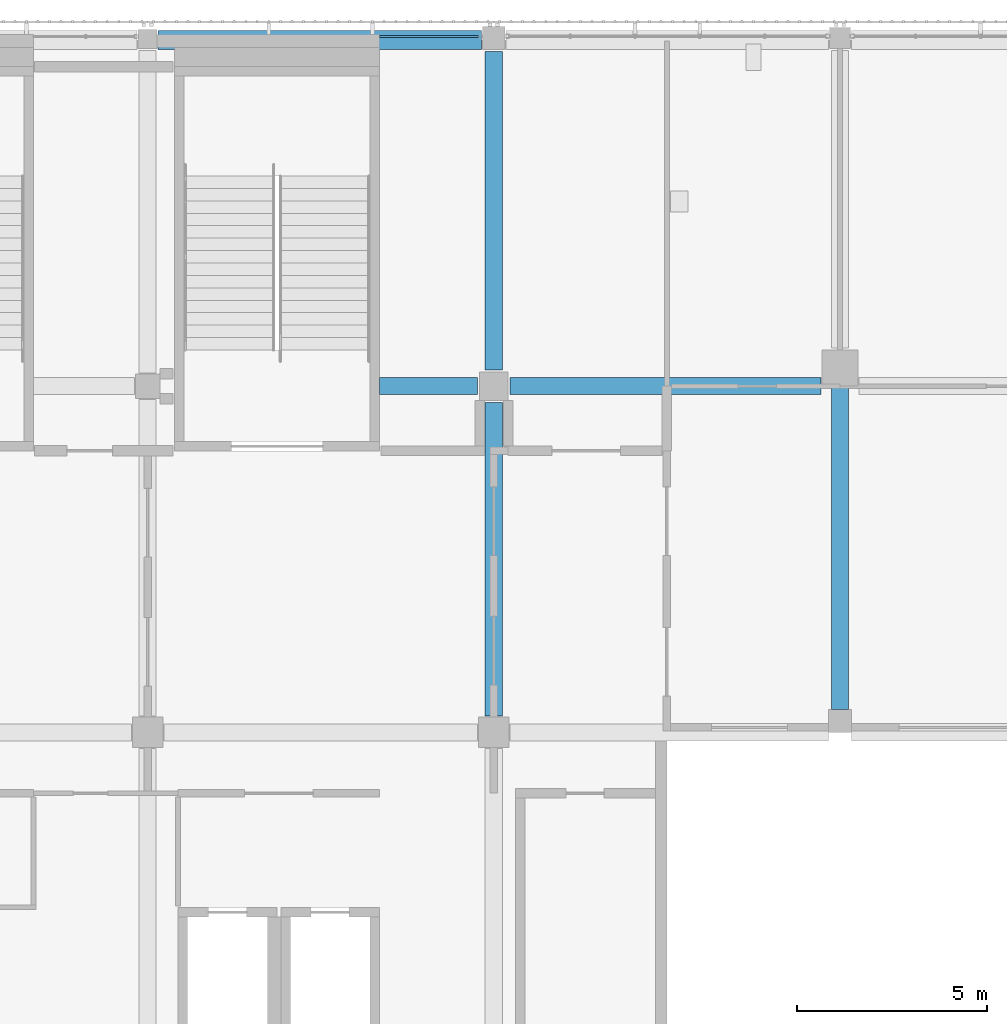
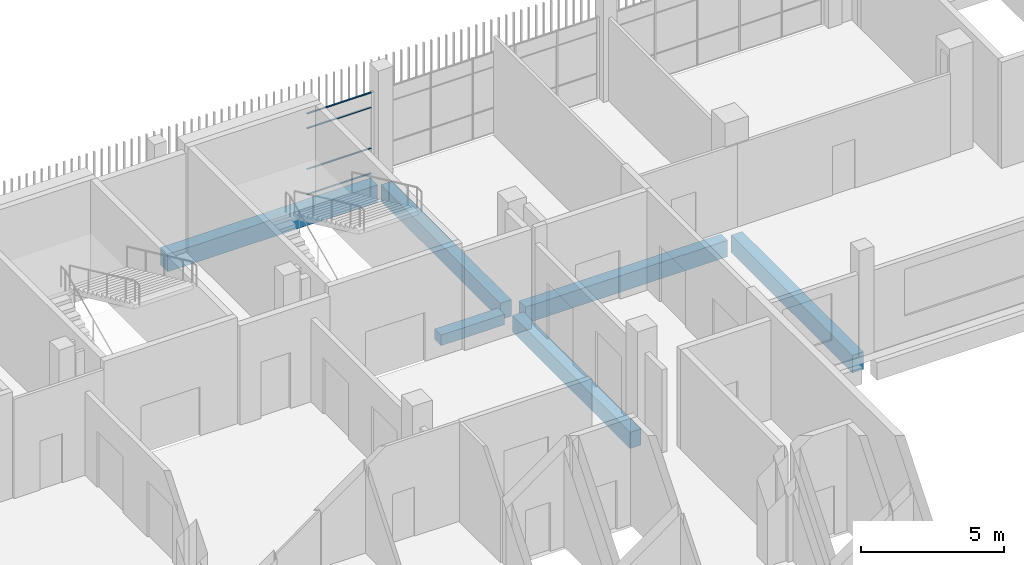
# One storey, part 23 of 104: 6 beams, 4 members, 1 element without a shape of its own.
"""IFC4 building model written with IfcOpenShell, lengths in metres."""

from ifc_helpers import new_model, si_unit, direction, frame, origin, origin_2d, place, context, subcontext, project, spatial, rectangle, hollow_rectangle, extrude, material, layer, layer_set, material_profile, profile_set, type_object, element, aggregate, save


model = new_model("IFC4")

# Units and contexts
model_context = context("Model", 3, precision=1e-05, world=origin(), true_north=direction((0.0, 1.0)))
body_context = subcontext(model_context, "Body", "Model", "MODEL_VIEW")
ifc_project = project(units=[si_unit("LENGTHUNIT", "METRE"), si_unit("AREAUNIT", "SQUARE_METRE"), si_unit("VOLUMEUNIT", "CUBIC_METRE"), si_unit("PLANEANGLEUNIT", "RADIAN"), si_unit("MASSUNIT", "GRAM", prefix="KILO")], contexts=[model_context])

# Site, building, storey
site_placement = place(None, origin())
site = spatial("IfcSite", under=ifc_project, at=site_placement, CompositionType="ELEMENT")
building_placement = place(site_placement, origin())
building = spatial("IfcBuilding", under=site, at=building_placement, Name="Shirokan Park Arena", CompositionType="ELEMENT")
storey_placement = place(building_placement, frame((0.0, 0.0, 10.919921875)))
storey = spatial("IfcBuildingStorey", under=building, at=storey_placement, Name="L02", CompositionType="ELEMENT", Elevation=10.919921875)

# Beams
ifc_material_1 = material(Name="Concrete C35", Category="concrete")
ifc_material_profile_1 = material_profile(ifc_material_1, rectangle(XDim=0.449951171875, YDim=0.699951171875, at=origin_2d()), Name="450x700")
ifc_profile_set_1 = profile_set([ifc_material_profile_1], Name="Concrete C35")
beam_type_1 = type_object("IfcBeamType", Name="RC girder 450x700", PredefinedType="BEAM", material=ifc_profile_set_1)
beam_1_placement = place(storey_placement, frame((36.8251953125, 100.10009765625, -0.64990234375), z_axis=(1.0, 0.0, 0.0), x_axis=(0.0, 1.0, 0.0)))
element("IfcBeam", 1, at=beam_1_placement, inside=storey, type_object=beam_type_1, Name="Girder 5M-6M L02", PredefinedType="BEAM", context=body_context, shape_type="SweptSolid", body=[
    extrude(rectangle(XDim=0.449951171875, YDim=0.699951171875, at=origin_2d()), origin(), (0.0, 0.0, 1.0), 8.1748046875),
])
beam_2_placement = place(storey_placement, frame((36.39990234375, 91.425048828125, -0.64990234375), z_axis=(0.0, 1.0, 0.0), x_axis=(-1.0, 0.0, 0.0)))
element("IfcBeam", 2, at=beam_2_placement, inside=storey, type_object=beam_type_1, Name="Girder 5L-5M L02", PredefinedType="BEAM", context=body_context, shape_type="SweptSolid", body=[
    extrude(rectangle(XDim=0.449951171875, YDim=0.699951171875, at=origin_2d()), origin(), (0.0, 0.0, 1.0), 8.249755859375),
])
beam_3_placement = place(storey_placement, frame((36.39990234375, 100.525146484375, -0.64990234375), z_axis=(0.0, 1.0, 0.0), x_axis=(-1.0, 0.0, 0.0)))
element("IfcBeam", 3, at=beam_3_placement, inside=storey, type_object=beam_type_1, Name="Girder 5M-5N L02", PredefinedType="BEAM", context=body_context, shape_type="SweptSolid", body=[
    extrude(rectangle(XDim=0.449951171875, YDim=0.699951171875, at=origin_2d()), origin(), (0.0, 0.0, 1.0), 8.374755859375),
])
ifc_material_profile_2 = material_profile(ifc_material_1, rectangle(XDim=0.449951171875, YDim=0.75, at=origin_2d()), Name="450x750")
ifc_profile_set_2 = profile_set([ifc_material_profile_2], Name="Concrete C35")
beam_type_2 = type_object("IfcBeamType", Name="RC girder 450x750", PredefinedType="BEAM", material=ifc_profile_set_2)
beam_4_placement = place(storey_placement, frame((45.5, 91.60009765625, -0.6748046875), z_axis=(0.0, 1.0, 0.0), x_axis=(-1.0, 0.0, 0.0)))
element("IfcBeam", 4, at=beam_4_placement, inside=storey, type_object=beam_type_2, Name="Girder 6L-6M L02", PredefinedType="BEAM", context=body_context, shape_type="SweptSolid", body=[
    extrude(rectangle(XDim=0.449951171875, YDim=0.75, at=origin_2d()), origin(), (0.0, 0.0, 1.0), 8.499755859375),
])
ifc_material_profile_3 = material_profile(ifc_material_1, rectangle(XDim=0.5, YDim=0.75, at=origin_2d()), Name="500x750")
ifc_profile_set_3 = profile_set([ifc_material_profile_3], Name="Concrete C35")
beam_type_3 = type_object("IfcBeamType", Name="RC girder 500x750", PredefinedType="BEAM", material=ifc_profile_set_3)
beam_5_placement = place(storey_placement, frame((27.5751953125, 109.199951171875, -0.6748046875), z_axis=(1.0, 0.0, 0.0), x_axis=(0.0, 1.0, 0.0)))
element("IfcBeam", 5, at=beam_5_placement, inside=storey, type_object=beam_type_3, Name="Girder 4N-5N L02", PredefinedType="BEAM", context=body_context, shape_type="SweptSolid", body=[
    extrude(rectangle(XDim=0.5, YDim=0.75, at=origin_2d()), origin(), (0.0, 0.0, 1.0), 8.499755859375),
])
ifc_material_profile_4 = material_profile(ifc_material_1, rectangle(XDim=0.449951171875, YDim=0.449951171875, at=origin_2d()), Name="450x450")
ifc_profile_set_4 = profile_set([ifc_material_profile_4], Name="Concrete C35")
beam_type_4 = type_object("IfcBeamType", Name="RC trimmer 450x450", PredefinedType="BEAM", material=ifc_profile_set_4)
beam_6_placement = place(storey_placement, frame((33.39990234375, 100.10009765625, -0.52490234375), z_axis=(1.0, 0.0, 0.0), x_axis=(0.0, 1.0, 0.0)))
element("IfcBeam", 6, at=beam_6_placement, inside=storey, type_object=beam_type_4, Name="Girder 4M-5M L02", PredefinedType="BEAM", context=body_context, shape_type="SweptSolid", body=[
    extrude(rectangle(XDim=0.449951171875, YDim=0.449951171875, at=origin_2d()), origin(), (0.0, 0.0, 1.0), 2.574951171875),
])

# Curtain wall, members
ifc_material_2 = material(Name="Steel and glass curtain wall", Category="steel")
ifc_layer = layer(ifc_material_2, 0.1201171875)
ifc_layer_set = layer_set([ifc_layer], Name="Steel and glass curtain wall 120 mm")
curtain_wall_type = type_object("IfcCurtainWallType", Name="Curtain wall corner block side bay 120", PredefinedType="NOTDEFINED", material=ifc_layer_set)
curtain_wall_placement = place(storey_placement, origin())
curtain_wall = element("IfcCurtainWall", 7, at=curtain_wall_placement, inside=storey, type_object=curtain_wall_type, Name="Curtain wall north bay 13 L02", PredefinedType="NOTDEFINED")
ifc_material_3 = material(Name="Steel S355", Category="steel")
ifc_material_profile_5 = material_profile(ifc_material_3, hollow_rectangle(XDim=0.06005859375, YDim=0.0400390625, WallThickness=0.00390625, at=origin_2d()), Name="RHS 60x40x4")
ifc_profile_set_5 = profile_set([ifc_material_profile_5], Name="Steel S355")
member_type = type_object("IfcMemberType", Name="Transom RHS 60x40x4", PredefinedType="MULLION", material=ifc_profile_set_5)
member_1_placement = place(storey_placement, frame((36.0, 109.2900390625, 0.02001953125), z_axis=(-1.0, 0.0, 0.0), x_axis=(0.0, -1.0, 0.0)))
member_1 = element("IfcMember", 8, at=member_1_placement, type_object=member_type, Name="CW3 transom 1.1", PredefinedType="MULLION", context=body_context, shape_type="SweptSolid", body=[
    extrude(hollow_rectangle(XDim=0.06005859375, YDim=0.0400390625, WallThickness=0.00390625, at=origin_2d()), origin(), (0.0, 0.0, 1.0), 2.60009765625),
])
member_2_placement = place(storey_placement, frame((36.0, 109.2900390625, 1.10009765625), z_axis=(-1.0, 0.0, 0.0), x_axis=(0.0, -1.0, 0.0)))
member_2 = element("IfcMember", 9, at=member_2_placement, type_object=member_type, Name="CW3 transom 1.2", PredefinedType="MULLION", context=body_context, shape_type="SweptSolid", body=[
    extrude(hollow_rectangle(XDim=0.06005859375, YDim=0.0400390625, WallThickness=0.00390625, at=origin_2d()), origin(), (0.0, 0.0, 1.0), 2.60009765625),
])
member_3_placement = place(storey_placement, frame((36.0, 109.2900390625, 2.85009765625), z_axis=(-1.0, 0.0, 0.0), x_axis=(0.0, -1.0, 0.0)))
member_3 = element("IfcMember", 10, at=member_3_placement, type_object=member_type, Name="CW3 transom 1.3", PredefinedType="MULLION", context=body_context, shape_type="SweptSolid", body=[
    extrude(hollow_rectangle(XDim=0.06005859375, YDim=0.0400390625, WallThickness=0.00390625, at=origin_2d()), origin(), (0.0, 0.0, 1.0), 2.60009765625),
])
member_4_placement = place(storey_placement, frame((36.0, 109.2900390625, 3.47998046875), z_axis=(-1.0, 0.0, 0.0), x_axis=(0.0, -1.0, 0.0)))
member_4 = element("IfcMember", 11, at=member_4_placement, type_object=member_type, Name="CW3 transom 1.4", PredefinedType="MULLION", context=body_context, shape_type="SweptSolid", body=[
    extrude(hollow_rectangle(XDim=0.06005859375, YDim=0.0400390625, WallThickness=0.00390625, at=origin_2d()), origin(), (0.0, 0.0, 1.0), 2.60009765625),
])
aggregate(curtain_wall, [member_1, member_2, member_3, member_4])

save(model, "model.ifc")
